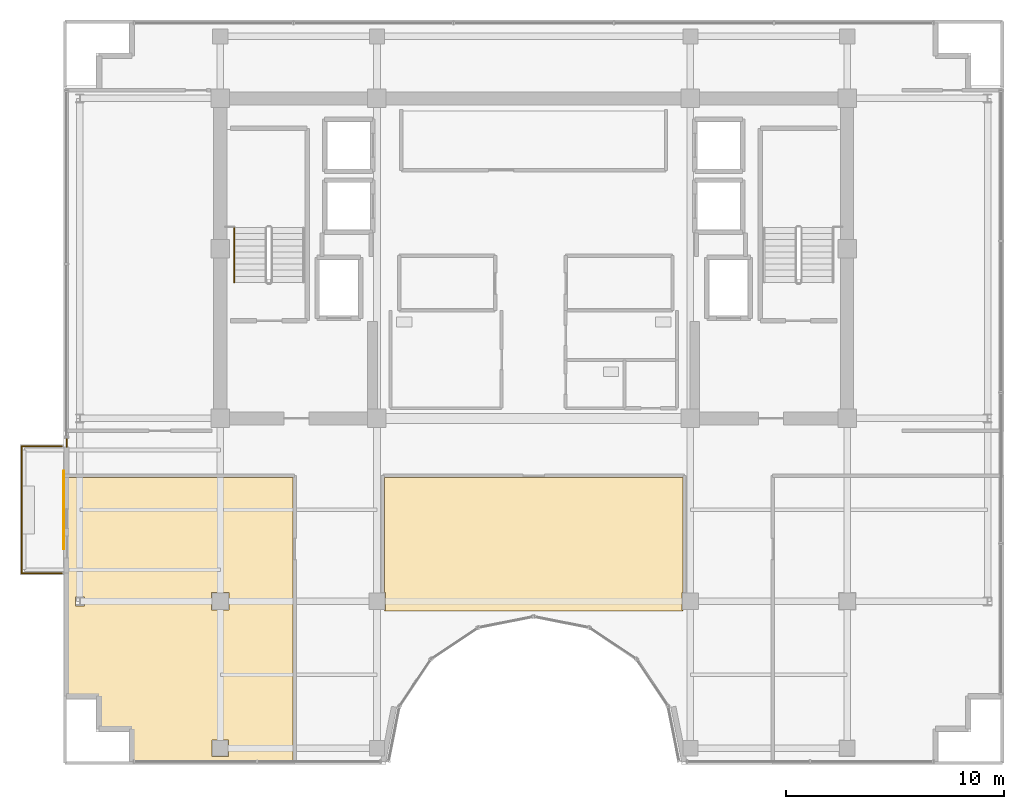
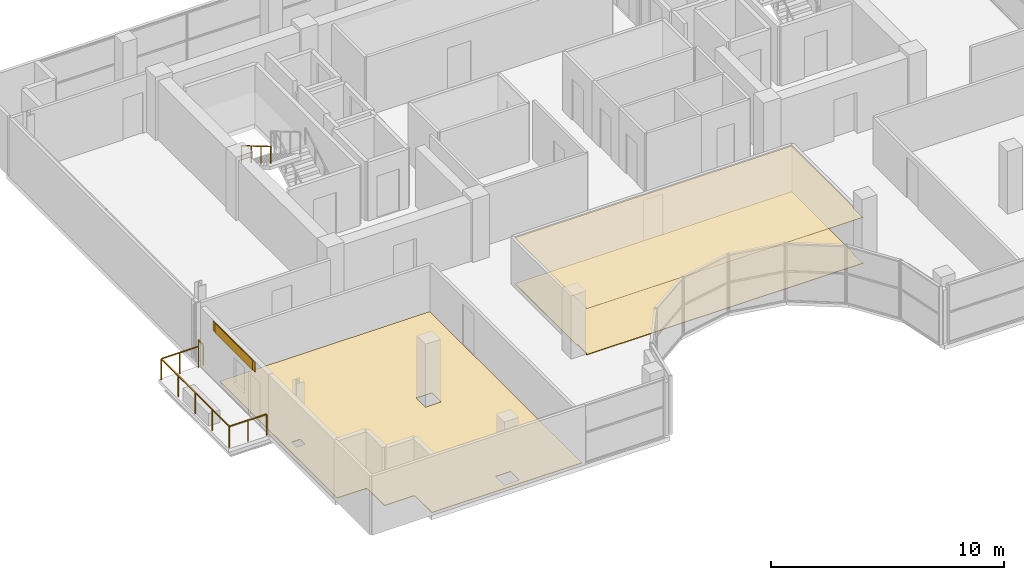
# One storey, part 25 of 28: 4 coverings, 3 railings, 1 shading device.
"""IFC4 building model written with IfcOpenShell, lengths in metres."""

from ifc_helpers import new_model, si_unit, direction, frame, origin, origin_2d, place, context, subcontext, project, spatial, polyline, rectangle, outline, extrude, source, transform, mapped, material, layer, layer_set, type_object, element, save


model = new_model("IFC4")

# Units and contexts
model_context = context("Model", 3, precision=1e-05, world=origin(), true_north=direction((0.0, 1.0)))
body_context = subcontext(model_context, "Body", "Model", "MODEL_VIEW")
ifc_project = project(units=[si_unit("LENGTHUNIT", "METRE"), si_unit("AREAUNIT", "SQUARE_METRE"), si_unit("VOLUMEUNIT", "CUBIC_METRE"), si_unit("PLANEANGLEUNIT", "RADIAN"), si_unit("MASSUNIT", "GRAM", prefix="KILO")], contexts=[model_context])

# Site, building, storey
site_placement = place(None, origin())
site = spatial("IfcSite", under=ifc_project, at=site_placement, CompositionType="ELEMENT")
building_placement = place(site_placement, origin())
building = spatial("IfcBuilding", under=site, at=building_placement, Name="Zarnakvel Exchange Tower", CompositionType="ELEMENT")
storey_placement = place(building_placement, frame((0.0, 0.0, 268.300048828125)))
storey = spatial("IfcBuildingStorey", under=building, at=storey_placement, Name="L76", CompositionType="ELEMENT", Elevation=268.300048828125)

# Coverings
ifc_material_1 = material(Name="Perforated Bronze Acoustic Metal Ceiling", Category="aluminium")
ifc_layer_1 = layer(ifc_material_1, 0.02001953125)
ifc_layer_set_1 = layer_set([ifc_layer_1], Name="Perforated Bronze Acoustic Metal Ceiling")
covering_type_1 = type_object("IfcCoveringType", Name="CLG-01", PredefinedType="CEILING", material=ifc_layer_set_1)
covering_1_placement = place(storey_placement, frame((0.0, 0.0, 2.409912109375)))
element("IfcCovering", 1, at=covering_1_placement, inside=storey, type_object=covering_type_1, Name="L76 Suspended Acoustic Ceiling (Breakout Lounge)", PredefinedType="CEILING", context=body_context, shape_type="SweptSolid", body=[
    extrude(outline(polyline([(-6.85009765625, -9.9951171875), (-6.804931640625, -9.9951171875), (-6.804931640625, -9.205078125), (-6.85009765625, -9.205078125), (-6.85009765625, -3.909912109375), (6.85009765625, -3.909912109375), (6.85009765625, -9.205078125), (6.804931640625, -9.205078125), (6.804931640625, -9.9951171875), (6.85009765625, -9.9951171875), (6.85009765625, -10.050048828125), (-6.85009765625, -10.050048828125), (-6.85009765625, -9.9951171875)])), origin(), (0.0, 0.0, 1.0), 0.02001953125),
])
ifc_material_2 = material(Name="Heavy-Duty Raised Access Floor Panel", Category="steel")
ifc_layer_2 = layer(ifc_material_2, 0.034912109375)
ifc_layer_set_2 = layer_set([ifc_layer_2], Name="Heavy-Duty Raised Access Floor Panel")
covering_type_2 = type_object("IfcCoveringType", Name="FLR-02", PredefinedType="FLOORING", material=ifc_layer_set_2)
covering_2_placement = place(storey_placement, origin())
element("IfcCovering", 2, at=covering_2_placement, inside=storey, type_object=covering_type_2, Name="L76 Floor Finish (Commodities Dealing Room)", PredefinedType="FLOORING", context=body_context, shape_type="SweptSolid", body=[
    extrude(outline(polyline([(-11.06005859375, -3.909912109375), (-11.06005859375, -16.949951171875), (-18.47998046875, -16.949951171875), (-18.47998046875, -15.60009765625), (-18.48046875, -15.588134765625), (-18.482421875, -15.57666015625), (-18.485107421875, -15.565185546875), (-18.489013671875, -15.55419921875), (-18.494140625, -15.54345703125), (-18.500244140625, -15.533447265625), (-18.50732421875, -15.52392578125), (-18.51513671875, -15.51513671875), (-18.52392578125, -15.50732421875), (-18.533447265625, -15.500244140625), (-18.54345703125, -15.494140625), (-18.55419921875, -15.489013671875), (-18.565185546875, -15.485107421875), (-18.57666015625, -15.482421875), (-18.588134765625, -15.48046875), (-18.60009765625, -15.47998046875), (-19.97998046875, -15.47998046875), (-19.97998046875, -14.10009765625), (-19.98046875, -14.088134765625), (-19.982421875, -14.07666015625), (-19.985107421875, -14.065185546875), (-19.989013671875, -14.05419921875), (-19.994140625, -14.04345703125), (-20.000244140625, -14.033447265625), (-20.00732421875, -14.02392578125), (-20.01513671875, -14.01513671875), (-20.02392578125, -14.00732421875), (-20.033447265625, -14.000244140625), (-20.04345703125, -13.994140625), (-20.05419921875, -13.989013671875), (-20.065185546875, -13.985107421875), (-20.07666015625, -13.982421875), (-20.088134765625, -13.98046875), (-20.10009765625, -13.97998046875), (-21.449951171875, -13.97998046875), (-21.449951171875, -3.909912109375), (-11.06005859375, -3.909912109375)]), holes=[polyline([(-14.0048828125, -9.9951171875), (-14.0048828125, -9.205078125), (-14.794921875, -9.205078125), (-14.794921875, -9.9951171875), (-14.0048828125, -9.9951171875)]), polyline([(-14.030029296875, -15.97998046875), (-14.77001953125, -15.97998046875), (-14.77001953125, -16.719970703125), (-14.030029296875, -16.719970703125), (-14.030029296875, -15.97998046875)]), polyline([(-20.642578125, -9.807373046875), (-20.642578125, -9.392578125), (-21.057373046875, -9.392578125), (-21.057373046875, -9.807373046875), (-20.642578125, -9.807373046875)])]), origin(), (0.0, 0.0, 1.0), 0.034912109375),
])
covering_3_placement = place(storey_placement, origin())
element("IfcCovering", 3, at=covering_3_placement, inside=storey, type_object=covering_type_2, Name="L76 Floor Finish (Breakout Lounge)", PredefinedType="FLOORING", context=body_context, shape_type="SweptSolid", body=[
    extrude(outline(polyline([(-6.85009765625, -9.9951171875), (-6.804931640625, -9.9951171875), (-6.804931640625, -9.205078125), (-6.85009765625, -9.205078125), (-6.85009765625, -3.909912109375), (6.85009765625, -3.909912109375), (6.85009765625, -9.205078125), (6.804931640625, -9.205078125), (6.804931640625, -9.9951171875), (6.85009765625, -9.9951171875), (6.85009765625, -10.050048828125), (-6.85009765625, -10.050048828125), (-6.85009765625, -9.9951171875)])), origin(), (0.0, 0.0, 1.0), 0.034912109375),
])

# Railings
ifc_material_3 = material(Name="Architectural Bronze Anodised Aluminium", Category="aluminium")
railing_type_1 = type_object("IfcRailingType", Name="GR-02", PredefinedType="GUARDRAIL", material=ifc_material_3)
railing_1_placement = place(storey_placement, frame((-21.679931640625, -8.320068359375, -0.03515625)))
element("IfcRailing", 4, at=railing_1_placement, inside=storey, type_object=railing_type_1, Name="L76 Balcony Guardrail BAL-L76-W", PredefinedType="GUARDRAIL", context=body_context, shape_type="SweptSolid", body=[
    extrude(rectangle(XDim=0.048095703125, YDim=0.048095703125, at=origin_2d()), frame((0.0, 0.0, 1.09619140625), z_axis=(-1.0, 0.0, 0.0), x_axis=(0.0, -1.0, 0.0)), (0.0, 0.0, 1.0), 1.840087890625),
    extrude(rectangle(XDim=0.048095703125, YDim=0.048095703125, at=origin_2d()), frame((-1.840087890625, 0.0, 1.09619140625), z_axis=(0.0, 1.0, 0.0), x_axis=(-1.0, 0.0, 0.0)), (0.0, 0.0, 1.0), 5.840087890625),
    extrude(rectangle(XDim=0.048095703125, YDim=0.048095703125, at=origin_2d()), frame((-1.840087890625, 5.840087890625, 1.09619140625), z_axis=(1.0, 0.0, 0.0), x_axis=(0.0, 1.0, 0.0)), (0.0, 0.0, 1.0), 1.840087890625),
    extrude(rectangle(XDim=0.0419921875, YDim=0.0419921875, at=origin_2d()), origin(), (0.0, 0.0, 1.0), 1.072021484375),
    extrude(rectangle(XDim=0.0419921875, YDim=0.0419921875, at=origin_2d()), frame((-0.919921875, 0.0, 0.0)), (0.0, 0.0, 1.0), 1.072021484375),
    extrude(rectangle(XDim=0.0419921875, YDim=0.0419921875, at=origin_2d()), frame((-1.840087890625, 0.0, 0.0)), (0.0, 0.0, 1.0), 1.072021484375),
    extrude(rectangle(XDim=0.0419921875, YDim=0.0419921875, at=origin_2d()), frame((-1.840087890625, 1.4599609375, 0.0)), (0.0, 0.0, 1.0), 1.072021484375),
    extrude(rectangle(XDim=0.0419921875, YDim=0.0419921875, at=origin_2d()), frame((-1.840087890625, 2.919921875, 0.0)), (0.0, 0.0, 1.0), 1.072021484375),
    extrude(rectangle(XDim=0.0419921875, YDim=0.0419921875, at=origin_2d()), frame((-1.840087890625, 4.380126953125, 0.0)), (0.0, 0.0, 1.0), 1.072021484375),
    extrude(rectangle(XDim=0.0419921875, YDim=0.0419921875, at=origin_2d()), frame((-1.840087890625, 5.840087890625, 0.0)), (0.0, 0.0, 1.0), 1.072021484375),
    extrude(rectangle(XDim=0.0419921875, YDim=0.0419921875, at=origin_2d()), frame((-0.919921875, 5.840087890625, 0.0)), (0.0, 0.0, 1.0), 1.072021484375),
    extrude(rectangle(XDim=0.0419921875, YDim=0.0419921875, at=origin_2d()), frame((0.0, 5.840087890625, 0.0)), (0.0, 0.0, 1.0), 1.072021484375),
])
railing_2_placement = place(storey_placement, frame((-21.4599609375, -2.5, 0.0)))
element("IfcRailing", 5, at=railing_2_placement, inside=storey, type_object=railing_type_1, Name="L76 Corner Spandrel Balustrade #2", PredefinedType="GUARDRAIL", context=body_context, shape_type="SweptSolid", body=[
    extrude(rectangle(XDim=0.048095703125, YDim=0.048095703125, at=origin_2d()), frame((0.0, 0.0, 1.09619140625), z_axis=(0.0, 1.0, 0.0), x_axis=(-1.0, 0.0, 0.0)), (0.0, 0.0, 1.0), 0.39990234375),
    extrude(rectangle(XDim=0.0419921875, YDim=0.0419921875, at=origin_2d()), origin(), (0.0, 0.0, 1.0), 1.072021484375),
    extrude(rectangle(XDim=0.0419921875, YDim=0.0419921875, at=origin_2d()), frame((0.0, 0.39990234375, 0.0)), (0.0, 0.0, 1.0), 1.072021484375),
])
ifc_material_4 = material(Name="Brushed Stainless Steel", Category="steel")
railing_type_2 = type_object("IfcRailingType", Name="HR-01", PredefinedType="HANDRAIL", material=ifc_material_4)
railing_3_placement = place(storey_placement, frame((-13.75, 7.570068359375, 1.81494140625)))
element("IfcRailing", 6, at=railing_3_placement, inside=storey, type_object=railing_type_2, Name="L76 ST-01 stair handrail 2", PredefinedType="HANDRAIL", context=body_context, shape_type="SweptSolid", body=[
    extrude(rectangle(XDim=0.048095703125, YDim=0.048095703125, at=origin_2d()), frame((0.0, 0.0, 0.8759765625), z_axis=(0.0, -0.86152411907, 0.507716645641), x_axis=(1.0, 0.0, 0.0)), (0.0, 0.0, 1.0), 2.925048828125),
    extrude(rectangle(XDim=0.0419921875, YDim=0.0419921875, at=origin_2d()), origin(), (0.0, 0.0, 1.0), 0.851806640625),
    extrude(rectangle(XDim=0.0419921875, YDim=0.0419921875, at=origin_2d()), frame((0.0, -0.840087890625, 0.4951171875)), (0.0, 0.0, 1.0), 0.851806640625),
    extrude(rectangle(XDim=0.0419921875, YDim=0.0419921875, at=origin_2d()), frame((0.0, -1.679931640625, 0.989990234375)), (0.0, 0.0, 1.0), 0.851806640625),
    extrude(rectangle(XDim=0.0419921875, YDim=0.0419921875, at=origin_2d()), frame((0.0, -2.52001953125, 1.485107421875)), (0.0, 0.0, 1.0), 0.851806640625),
])

# Covering
ifc_material_5 = material(Name="Glazed Turquoise Ceramic Architectural Tile", Category="ceramic")
ifc_layer_3 = layer(ifc_material_5, 0.028076171875)
ifc_layer_set_3 = layer_set([ifc_layer_3], Name="Glazed Turquoise Ceramic Architectural Tile")
covering_type_3 = type_object("IfcCoveringType", Name="CL-01", PredefinedType="CLADDING", material=ifc_layer_set_3)
shared_shape_1 = source(origin(), body_context, "Body", "SweptSolid", [
    extrude(rectangle(XDim=3.60009765625, YDim=0.028076171875, at=origin_2d()), origin(), (0.0, 0.0, 1.0), 0.5),
])
covering_4_placement = place(storey_placement, frame((-21.592041015625, -5.39990234375, 2.56005859375), z_axis=(0.0, 0.0, 1.0), x_axis=(0.0, 1.0, 0.0)))
element("IfcCovering", 7, at=covering_4_placement, inside=storey, type_object=covering_type_3, Name="L76 Ceramic Spandrel Tilework CL-01", PredefinedType="CLADDING", context=body_context, shape_type="MappedRepresentation", body=[
    mapped(shared_shape_1, transform((0.0, 0.0, 0.0), x_axis=(1.0, 0.0, 0.0), y_axis=(0.0, 1.0, 0.0), z_axis=(0.0, 0.0, 1.0), scale=1.0)),
])

# Shading device
ifc_material_6 = material(Name="Perforated Architectural Bronze Screen", Category="aluminium")
ifc_layer_4 = layer(ifc_material_6, 0.044921875)
ifc_layer_set_4 = layer_set([ifc_layer_4], Name="Perforated Architectural Bronze Screen")
shading_device_type = type_object("IfcShadingDeviceType", Name="SS-01", PredefinedType="JALOUSIE", material=ifc_layer_set_4)
shared_shape_2 = source(origin(), body_context, "Body", "SweptSolid", [
    extrude(rectangle(XDim=3.199951171875, YDim=0.044921875, at=origin_2d()), origin(), (0.0, 0.0, 1.0), 0.5),
])
shading_device_placement = place(storey_placement, frame((-21.6005859375, -5.39990234375, 2.56005859375), z_axis=(0.0, 0.0, 1.0), x_axis=(0.0, 1.0, 0.0)))
element("IfcShadingDevice", 8, at=shading_device_placement, inside=storey, type_object=shading_device_type, Name="L76 Bronze Solar Shading Screen SS-01", PredefinedType="JALOUSIE", context=body_context, shape_type="MappedRepresentation", body=[
    mapped(shared_shape_2, transform((0.0, 0.0, 0.0), x_axis=(1.0, 0.0, 0.0), y_axis=(0.0, 1.0, 0.0), z_axis=(0.0, 0.0, 1.0), scale=1.0)),
])

save(model, "model.ifc")
